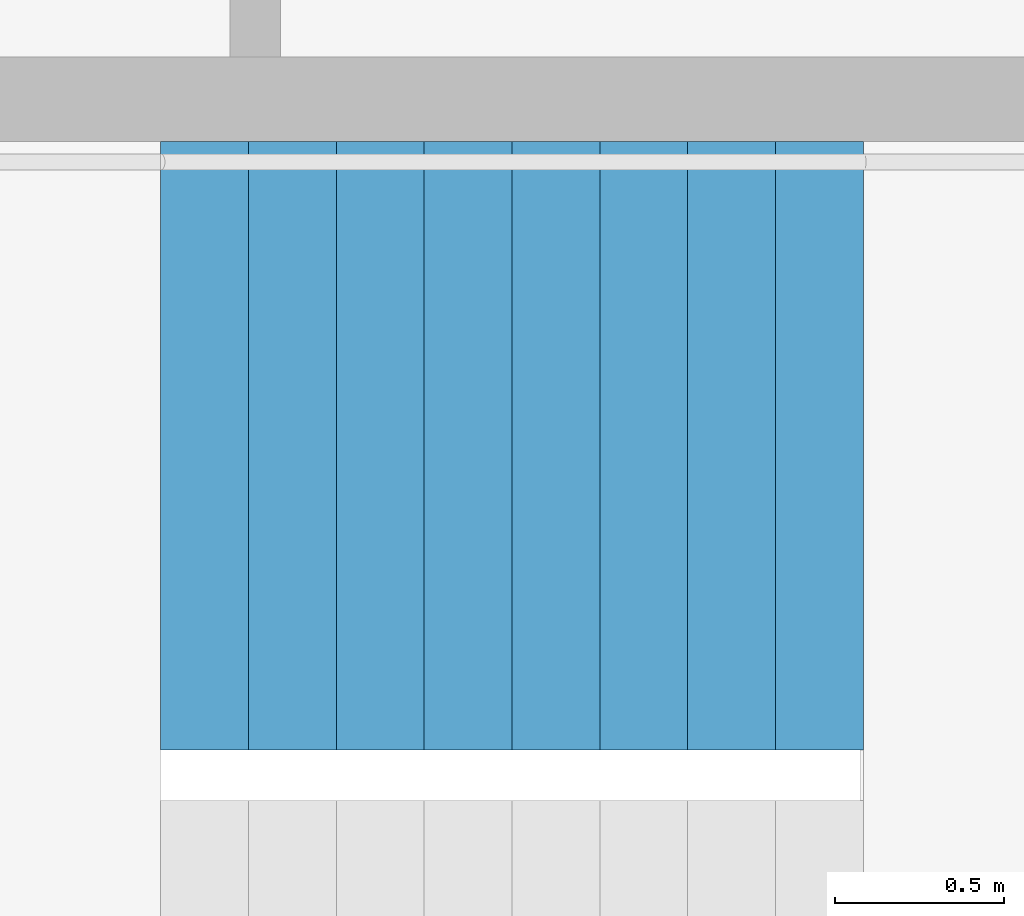
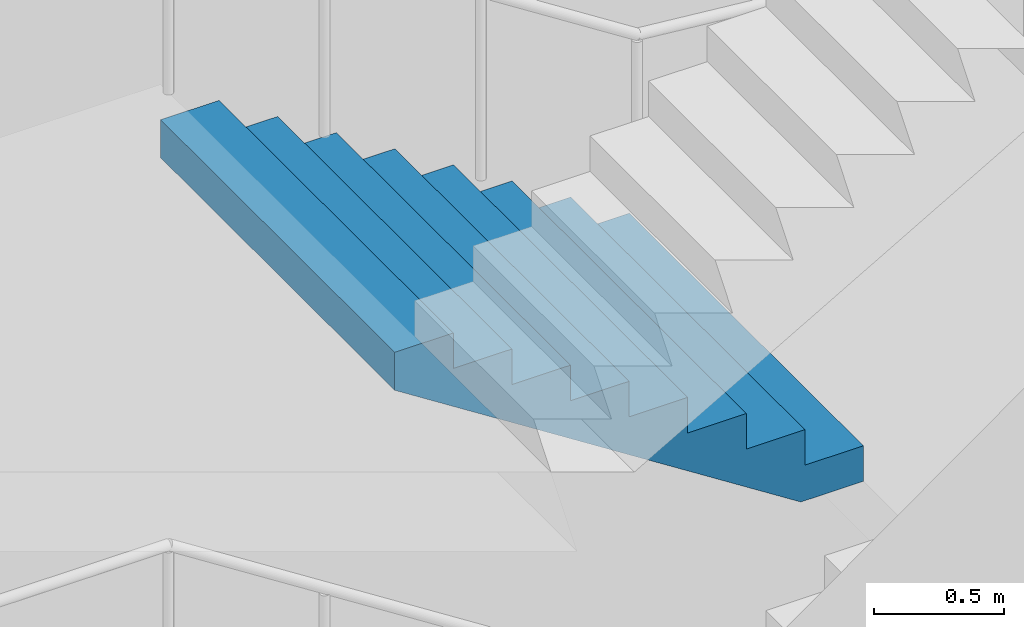
# One storey, part 21 of 35: 1 stair flight, 1 element without a shape of its own.
"""IFC4 building model written with IfcOpenShell, lengths in metres."""

from ifc_helpers import new_model, si_unit, direction, frame, origin, place, context, subcontext, project, spatial, triangles, material, type_object, element, aggregate, save


model = new_model("IFC4")

# Units and contexts
model_context = context("Model", 3, precision=1e-05, world=origin(), true_north=direction((0.0, 1.0)))
body_context = subcontext(model_context, "Body", "Model", "MODEL_VIEW")
ifc_project = project(units=[si_unit("LENGTHUNIT", "METRE"), si_unit("AREAUNIT", "SQUARE_METRE"), si_unit("VOLUMEUNIT", "CUBIC_METRE"), si_unit("PLANEANGLEUNIT", "RADIAN"), si_unit("MASSUNIT", "GRAM", prefix="KILO")], contexts=[model_context])

# Site, building, storey
site_placement = place(None, origin())
site = spatial("IfcSite", under=ifc_project, at=site_placement, CompositionType="ELEMENT")
building_placement = place(site_placement, origin())
building = spatial("IfcBuilding", under=site, at=building_placement, Name="Hakoniwa Tower and Hamabe Station Hall", CompositionType="ELEMENT")
storey_placement = place(building_placement, frame((0.0, 0.0, 270.60009765625)))
storey = spatial("IfcBuildingStorey", under=building, at=storey_placement, Name="L76", CompositionType="ELEMENT", Elevation=270.60009765625)

# Stair, stair flight
ifc_material_1 = material(Name="Concrete C40", Category="concrete")
stair_type = type_object("IfcStairType", Name="ESCAPE STAIR 1800", PredefinedType="HALF_TURN_STAIR", material=ifc_material_1)
stair_placement = place(storey_placement, origin())
stair = element("IfcStair", 1, at=stair_placement, inside=storey, type_object=stair_type, Name="Escape stair ST-2 L76", PredefinedType="HALF_TURN_STAIR")
ifc_material_2 = material(Name="Concrete C40", Category="concrete")
stair_flight_type = type_object("IfcStairFlightType", Name="STAIR FLIGHT 1800", PredefinedType="STRAIGHT", material=ifc_material_2)
stair_flight_placement = place(storey_placement, frame((-23.39990234375, -4.64990234375, 3.0), z_axis=(0.0, 0.0, 1.0), x_axis=(-1.0, 0.0, 0.0)))
stair_flight = element("IfcStairFlight", 2, at=stair_flight_placement, type_object=stair_flight_type, Name="ST-2 flight 3", NumberOfRisers=9, NumberOfTreads=8, PredefinedType="STRAIGHT", RiserHeight=0.166666667, TreadLength=0.26, context=body_context, shape_type="Tessellation", body=[
    triangles([(0.0, 0.89990234375, 0.0), (0.260009765625, 0.89990234375, 0.0), (0.27783203125, 0.89990234375, 0.0), (0.52001953125, 0.89990234375, 0.1552734375), (0.780029296875, 0.89990234375, 0.322021484375), (1.0400390625, 0.89990234375, 0.488525390625), (1.300048828125, 0.89990234375, 0.6552734375), (1.56005859375, 0.89990234375, 0.822021484375), (1.820068359375, 0.89990234375, 0.988525390625), (2.080078125, 0.89990234375, 1.1552734375), (2.080078125, 0.89990234375, 1.333251953125), (1.820068359375, 0.89990234375, 1.333251953125), (1.820068359375, 0.89990234375, 1.166748046875), (1.56005859375, 0.89990234375, 1.166748046875), (1.56005859375, 0.89990234375, 1.0), (1.300048828125, 0.89990234375, 1.0), (1.300048828125, 0.89990234375, 0.833251953125), (1.0400390625, 0.89990234375, 0.833251953125), (1.0400390625, 0.89990234375, 0.666748046875), (0.780029296875, 0.89990234375, 0.666748046875), (0.780029296875, 0.89990234375, 0.5), (0.52001953125, 0.89990234375, 0.5), (0.52001953125, 0.89990234375, 0.333251953125), (0.27783203125, 0.89990234375, 0.333251953125), (0.260009765625, 0.89990234375, 0.333251953125), (0.260009765625, 0.89990234375, 0.166748046875), (0.0, 0.89990234375, 0.166748046875), (0.0, 0.06005859375, 0.0), (0.260009765625, 0.06005859375, 0.0), (0.27783203125, 0.06005859375, 0.0), (0.52001953125, 0.06005859375, 0.1552734375), (0.780029296875, 0.06005859375, 0.322021484375), (1.0400390625, 0.06005859375, 0.488525390625), (1.300048828125, 0.06005859375, 0.6552734375), (1.56005859375, 0.06005859375, 0.822021484375), (1.820068359375, 0.06005859375, 0.988525390625), (2.080078125, 0.06005859375, 1.1552734375), (2.080078125, 0.06005859375, 1.333251953125), (1.820068359375, 0.06005859375, 1.333251953125), (1.820068359375, 0.06005859375, 1.166748046875), (1.56005859375, 0.06005859375, 1.166748046875), (1.56005859375, 0.06005859375, 1.0), (1.300048828125, 0.06005859375, 1.0), (1.300048828125, 0.06005859375, 0.833251953125), (1.0400390625, 0.06005859375, 0.833251953125), (1.0400390625, 0.06005859375, 0.666748046875), (0.780029296875, 0.06005859375, 0.666748046875), (0.780029296875, 0.06005859375, 0.5), (0.52001953125, 0.06005859375, 0.5), (0.52001953125, 0.06005859375, 0.333251953125), (0.27783203125, 0.06005859375, 0.333251953125), (0.260009765625, 0.06005859375, 0.333251953125), (0.260009765625, 0.06005859375, 0.166748046875), (0.0, 0.06005859375, 0.166748046875), (0.0, 0.04296875, 0.0), (0.260009765625, 0.04296875, 0.0), (0.27783203125, 0.04296875, 0.0), (0.52001953125, 0.04296875, 0.1552734375), (0.780029296875, 0.04296875, 0.322021484375), (1.0400390625, 0.04296875, 0.488525390625), (1.300048828125, 0.04296875, 0.6552734375), (1.56005859375, 0.04296875, 0.822021484375), (1.820068359375, 0.04296875, 0.988525390625), (2.080078125, 0.04296875, 1.1552734375), (2.080078125, 0.04296875, 1.333251953125), (1.820068359375, 0.04296875, 1.333251953125), (1.820068359375, 0.04296875, 1.166748046875), (1.56005859375, 0.04296875, 1.166748046875), (1.56005859375, 0.04296875, 1.0), (1.300048828125, 0.04296875, 1.0), (1.300048828125, 0.04296875, 0.833251953125), (1.0400390625, 0.04296875, 0.833251953125), (1.0400390625, 0.04296875, 0.666748046875), (0.780029296875, 0.04296875, 0.666748046875), (0.780029296875, 0.04296875, 0.5), (0.52001953125, 0.04296875, 0.5), (0.52001953125, 0.04296875, 0.333251953125), (0.27783203125, 0.04296875, 0.333251953125), (0.260009765625, 0.04296875, 0.333251953125), (0.260009765625, 0.04296875, 0.166748046875), (0.0, 0.04296875, 0.166748046875), (0.0, 0.025634765625, 0.0), (0.260009765625, 0.025634765625, 0.0), (0.27783203125, 0.025634765625, 0.0), (0.52001953125, 0.025634765625, 0.1552734375), (0.780029296875, 0.025634765625, 0.322021484375), (1.0400390625, 0.025634765625, 0.488525390625), (1.300048828125, 0.025634765625, 0.6552734375), (1.56005859375, 0.025634765625, 0.822021484375), (1.820068359375, 0.025634765625, 0.988525390625), (2.080078125, 0.025634765625, 1.1552734375), (2.080078125, 0.025634765625, 1.333251953125), (1.820068359375, 0.025634765625, 1.333251953125), (1.820068359375, 0.025634765625, 1.166748046875), (1.56005859375, 0.025634765625, 1.166748046875), (1.56005859375, 0.025634765625, 1.0), (1.300048828125, 0.025634765625, 1.0), (1.300048828125, 0.025634765625, 0.833251953125), (1.0400390625, 0.025634765625, 0.833251953125), (1.0400390625, 0.025634765625, 0.666748046875), (0.780029296875, 0.025634765625, 0.666748046875), (0.780029296875, 0.025634765625, 0.5), (0.52001953125, 0.025634765625, 0.5), (0.52001953125, 0.025634765625, 0.333251953125), (0.27783203125, 0.025634765625, 0.333251953125), (0.260009765625, 0.025634765625, 0.333251953125), (0.260009765625, 0.025634765625, 0.166748046875), (0.0, 0.025634765625, 0.166748046875), (0.0, 0.008544921875, 0.0), (0.260009765625, 0.008544921875, 0.0), (0.27783203125, 0.008544921875, 0.0), (0.52001953125, 0.008544921875, 0.1552734375), (0.780029296875, 0.008544921875, 0.322021484375), (1.0400390625, 0.008544921875, 0.488525390625), (1.300048828125, 0.008544921875, 0.6552734375), (1.56005859375, 0.008544921875, 0.822021484375), (1.820068359375, 0.008544921875, 0.988525390625), (2.080078125, 0.008544921875, 1.1552734375), (2.080078125, 0.008544921875, 1.333251953125), (1.820068359375, 0.008544921875, 1.333251953125), (1.820068359375, 0.008544921875, 1.166748046875), (1.56005859375, 0.008544921875, 1.166748046875), (1.56005859375, 0.008544921875, 1.0), (1.300048828125, 0.008544921875, 1.0), (1.300048828125, 0.008544921875, 0.833251953125), (1.0400390625, 0.008544921875, 0.833251953125), (1.0400390625, 0.008544921875, 0.666748046875), (0.780029296875, 0.008544921875, 0.666748046875), (0.780029296875, 0.008544921875, 0.5), (0.52001953125, 0.008544921875, 0.5), (0.52001953125, 0.008544921875, 0.333251953125), (0.27783203125, 0.008544921875, 0.333251953125), (0.260009765625, 0.008544921875, 0.333251953125), (0.260009765625, 0.008544921875, 0.166748046875), (0.0, 0.008544921875, 0.166748046875), (0.0, -0.008544921875, 0.0), (0.260009765625, -0.008544921875, 0.0), (0.27783203125, -0.008544921875, 0.0), (0.52001953125, -0.008544921875, 0.1552734375), (0.780029296875, -0.008544921875, 0.322021484375), (1.0400390625, -0.008544921875, 0.488525390625), (1.300048828125, -0.008544921875, 0.6552734375), (1.56005859375, -0.008544921875, 0.822021484375), (1.820068359375, -0.008544921875, 0.988525390625), (2.080078125, -0.008544921875, 1.1552734375), (2.080078125, -0.008544921875, 1.333251953125), (1.820068359375, -0.008544921875, 1.333251953125), (1.820068359375, -0.008544921875, 1.166748046875), (1.56005859375, -0.008544921875, 1.166748046875), (1.56005859375, -0.008544921875, 1.0), (1.300048828125, -0.008544921875, 1.0), (1.300048828125, -0.008544921875, 0.833251953125), (1.0400390625, -0.008544921875, 0.833251953125), (1.0400390625, -0.008544921875, 0.666748046875), (0.780029296875, -0.008544921875, 0.666748046875), (0.780029296875, -0.008544921875, 0.5), (0.52001953125, -0.008544921875, 0.5), (0.52001953125, -0.008544921875, 0.333251953125), (0.27783203125, -0.008544921875, 0.333251953125), (0.260009765625, -0.008544921875, 0.333251953125), (0.260009765625, -0.008544921875, 0.166748046875), (0.0, -0.008544921875, 0.166748046875), (0.0, -0.025634765625, 0.0), (0.260009765625, -0.025634765625, 0.0), (0.27783203125, -0.025634765625, 0.0), (0.52001953125, -0.025634765625, 0.1552734375), (0.780029296875, -0.025634765625, 0.322021484375), (1.0400390625, -0.025634765625, 0.488525390625), (1.300048828125, -0.025634765625, 0.6552734375), (1.56005859375, -0.025634765625, 0.822021484375), (1.820068359375, -0.025634765625, 0.988525390625), (2.080078125, -0.025634765625, 1.1552734375), (2.080078125, -0.025634765625, 1.333251953125), (1.820068359375, -0.025634765625, 1.333251953125), (1.820068359375, -0.025634765625, 1.166748046875), (1.56005859375, -0.025634765625, 1.166748046875), (1.56005859375, -0.025634765625, 1.0), (1.300048828125, -0.025634765625, 1.0), (1.300048828125, -0.025634765625, 0.833251953125), (1.0400390625, -0.025634765625, 0.833251953125), (1.0400390625, -0.025634765625, 0.666748046875), (0.780029296875, -0.025634765625, 0.666748046875), (0.780029296875, -0.025634765625, 0.5), (0.52001953125, -0.025634765625, 0.5), (0.52001953125, -0.025634765625, 0.333251953125), (0.27783203125, -0.025634765625, 0.333251953125), (0.260009765625, -0.025634765625, 0.333251953125), (0.260009765625, -0.025634765625, 0.166748046875), (0.0, -0.025634765625, 0.166748046875), (0.0, -0.04296875, 0.0), (0.260009765625, -0.04296875, 0.0), (0.27783203125, -0.04296875, 0.0), (0.52001953125, -0.04296875, 0.1552734375), (0.780029296875, -0.04296875, 0.322021484375), (1.0400390625, -0.04296875, 0.488525390625), (1.300048828125, -0.04296875, 0.6552734375), (1.56005859375, -0.04296875, 0.822021484375), (1.820068359375, -0.04296875, 0.988525390625), (2.080078125, -0.04296875, 1.1552734375), (2.080078125, -0.04296875, 1.333251953125), (1.820068359375, -0.04296875, 1.333251953125), (1.820068359375, -0.04296875, 1.166748046875), (1.56005859375, -0.04296875, 1.166748046875), (1.56005859375, -0.04296875, 1.0), (1.300048828125, -0.04296875, 1.0), (1.300048828125, -0.04296875, 0.833251953125), (1.0400390625, -0.04296875, 0.833251953125), (1.0400390625, -0.04296875, 0.666748046875), (0.780029296875, -0.04296875, 0.666748046875), (0.780029296875, -0.04296875, 0.5), (0.52001953125, -0.04296875, 0.5), (0.52001953125, -0.04296875, 0.333251953125), (0.27783203125, -0.04296875, 0.333251953125), (0.260009765625, -0.04296875, 0.333251953125), (0.260009765625, -0.04296875, 0.166748046875), (0.0, -0.04296875, 0.166748046875), (0.0, -0.06005859375, 0.0), (0.260009765625, -0.06005859375, 0.0), (0.27783203125, -0.06005859375, 0.0), (0.52001953125, -0.06005859375, 0.1552734375), (0.780029296875, -0.06005859375, 0.322021484375), (1.0400390625, -0.06005859375, 0.488525390625), (1.300048828125, -0.06005859375, 0.6552734375), (1.56005859375, -0.06005859375, 0.822021484375), (1.820068359375, -0.06005859375, 0.988525390625), (2.080078125, -0.06005859375, 1.1552734375), (2.080078125, -0.06005859375, 1.333251953125), (1.820068359375, -0.06005859375, 1.333251953125), (1.820068359375, -0.06005859375, 1.166748046875), (1.56005859375, -0.06005859375, 1.166748046875), (1.56005859375, -0.06005859375, 1.0), (1.300048828125, -0.06005859375, 1.0), (1.300048828125, -0.06005859375, 0.833251953125), (1.0400390625, -0.06005859375, 0.833251953125), (1.0400390625, -0.06005859375, 0.666748046875), (0.780029296875, -0.06005859375, 0.666748046875), (0.780029296875, -0.06005859375, 0.5), (0.52001953125, -0.06005859375, 0.5), (0.52001953125, -0.06005859375, 0.333251953125), (0.27783203125, -0.06005859375, 0.333251953125), (0.260009765625, -0.06005859375, 0.333251953125), (0.260009765625, -0.06005859375, 0.166748046875), (0.0, -0.06005859375, 0.166748046875), (0.0, -0.89990234375, 0.0), (0.260009765625, -0.89990234375, 0.0), (0.27783203125, -0.89990234375, 0.0), (0.52001953125, -0.89990234375, 0.1552734375), (0.780029296875, -0.89990234375, 0.322021484375), (1.0400390625, -0.89990234375, 0.488525390625), (1.300048828125, -0.89990234375, 0.6552734375), (1.56005859375, -0.89990234375, 0.822021484375), (1.820068359375, -0.89990234375, 0.988525390625), (2.080078125, -0.89990234375, 1.1552734375), (2.080078125, -0.89990234375, 1.333251953125), (1.820068359375, -0.89990234375, 1.333251953125), (1.820068359375, -0.89990234375, 1.166748046875), (1.56005859375, -0.89990234375, 1.166748046875), (1.56005859375, -0.89990234375, 1.0), (1.300048828125, -0.89990234375, 1.0), (1.300048828125, -0.89990234375, 0.833251953125), (1.0400390625, -0.89990234375, 0.833251953125), (1.0400390625, -0.89990234375, 0.666748046875), (0.780029296875, -0.89990234375, 0.666748046875), (0.780029296875, -0.89990234375, 0.5), (0.52001953125, -0.89990234375, 0.5), (0.52001953125, -0.89990234375, 0.333251953125), (0.27783203125, -0.89990234375, 0.333251953125), (0.260009765625, -0.89990234375, 0.333251953125), (0.260009765625, -0.89990234375, 0.166748046875), (0.0, -0.89990234375, 0.166748046875)], [[2, 27, 26], [245, 269, 270], [2, 1, 27], [245, 270, 244], [3, 25, 24], [246, 267, 268], [3, 26, 25], [246, 268, 269], [3, 2, 26], [246, 269, 245], [4, 24, 23], [247, 266, 267], [4, 3, 24], [247, 267, 246], [5, 22, 21], [248, 264, 265], [5, 23, 22], [248, 265, 266], [5, 4, 23], [248, 266, 247], [6, 20, 19], [249, 262, 263], [6, 21, 20], [249, 263, 264], [6, 5, 21], [249, 264, 248], [7, 18, 17], [250, 260, 261], [7, 19, 18], [250, 261, 262], [7, 6, 19], [250, 262, 249], [8, 16, 15], [251, 258, 259], [8, 17, 16], [251, 259, 260], [8, 7, 17], [251, 260, 250], [9, 14, 13], [252, 256, 257], [9, 15, 14], [252, 257, 258], [9, 8, 15], [252, 258, 251], [10, 12, 11], [253, 254, 255], [10, 13, 12], [253, 255, 256], [10, 9, 13], [253, 256, 252], [1, 2, 29], [1, 29, 28], [28, 29, 56], [28, 56, 55], [55, 56, 83], [55, 83, 82], [82, 83, 110], [82, 110, 109], [109, 110, 137], [109, 137, 136], [136, 137, 164], [136, 164, 163], [163, 164, 191], [163, 191, 190], [190, 191, 218], [190, 218, 217], [217, 218, 245], [217, 245, 244], [2, 3, 30], [2, 30, 29], [29, 30, 57], [29, 57, 56], [56, 57, 84], [56, 84, 83], [83, 84, 111], [83, 111, 110], [110, 111, 138], [110, 138, 137], [137, 138, 165], [137, 165, 164], [164, 165, 192], [164, 192, 191], [191, 192, 219], [191, 219, 218], [218, 219, 246], [218, 246, 245], [3, 4, 31], [3, 31, 30], [30, 31, 58], [30, 58, 57], [57, 58, 85], [57, 85, 84], [84, 85, 112], [84, 112, 111], [111, 112, 139], [111, 139, 138], [138, 139, 166], [138, 166, 165], [165, 166, 193], [165, 193, 192], [192, 193, 220], [192, 220, 219], [219, 220, 247], [219, 247, 246], [4, 5, 32], [4, 32, 31], [31, 32, 59], [31, 59, 58], [58, 59, 86], [58, 86, 85], [85, 86, 113], [85, 113, 112], [112, 113, 140], [112, 140, 139], [139, 140, 167], [139, 167, 166], [166, 167, 194], [166, 194, 193], [193, 194, 221], [193, 221, 220], [220, 221, 248], [220, 248, 247], [5, 6, 33], [5, 33, 32], [32, 33, 60], [32, 60, 59], [59, 60, 87], [59, 87, 86], [86, 87, 114], [86, 114, 113], [113, 114, 141], [113, 141, 140], [140, 141, 168], [140, 168, 167], [167, 168, 195], [167, 195, 194], [194, 195, 222], [194, 222, 221], [221, 222, 249], [221, 249, 248], [6, 7, 34], [6, 34, 33], [33, 34, 61], [33, 61, 60], [60, 61, 88], [60, 88, 87], [87, 88, 115], [87, 115, 114], [114, 115, 142], [114, 142, 141], [141, 142, 169], [141, 169, 168], [168, 169, 196], [168, 196, 195], [195, 196, 223], [195, 223, 222], [222, 223, 250], [222, 250, 249], [7, 8, 35], [7, 35, 34], [34, 35, 62], [34, 62, 61], [61, 62, 89], [61, 89, 88], [88, 89, 116], [88, 116, 115], [115, 116, 143], [115, 143, 142], [142, 143, 170], [142, 170, 169], [169, 170, 197], [169, 197, 196], [196, 197, 224], [196, 224, 223], [223, 224, 251], [223, 251, 250], [8, 9, 36], [8, 36, 35], [35, 36, 63], [35, 63, 62], [62, 63, 90], [62, 90, 89], [89, 90, 117], [89, 117, 116], [116, 117, 144], [116, 144, 143], [143, 144, 171], [143, 171, 170], [170, 171, 198], [170, 198, 197], [197, 198, 225], [197, 225, 224], [224, 225, 252], [224, 252, 251], [9, 10, 37], [9, 37, 36], [36, 37, 64], [36, 64, 63], [63, 64, 91], [63, 91, 90], [90, 91, 118], [90, 118, 117], [117, 118, 145], [117, 145, 144], [144, 145, 172], [144, 172, 171], [171, 172, 199], [171, 199, 198], [198, 199, 226], [198, 226, 225], [225, 226, 253], [225, 253, 252], [10, 11, 38], [10, 38, 37], [37, 38, 65], [37, 65, 64], [64, 65, 92], [64, 92, 91], [91, 92, 119], [91, 119, 118], [118, 119, 146], [118, 146, 145], [145, 146, 173], [145, 173, 172], [172, 173, 200], [172, 200, 199], [199, 200, 227], [199, 227, 226], [226, 227, 254], [226, 254, 253], [11, 12, 39], [11, 39, 38], [38, 39, 66], [38, 66, 65], [65, 66, 93], [65, 93, 92], [92, 93, 120], [92, 120, 119], [119, 120, 147], [119, 147, 146], [146, 147, 174], [146, 174, 173], [173, 174, 201], [173, 201, 200], [200, 201, 228], [200, 228, 227], [227, 228, 255], [227, 255, 254], [12, 13, 40], [12, 40, 39], [39, 40, 67], [39, 67, 66], [66, 67, 94], [66, 94, 93], [93, 94, 121], [93, 121, 120], [120, 121, 148], [120, 148, 147], [147, 148, 175], [147, 175, 174], [174, 175, 202], [174, 202, 201], [201, 202, 229], [201, 229, 228], [228, 229, 256], [228, 256, 255], [13, 14, 41], [13, 41, 40], [40, 41, 68], [40, 68, 67], [67, 68, 95], [67, 95, 94], [94, 95, 122], [94, 122, 121], [121, 122, 149], [121, 149, 148], [148, 149, 176], [148, 176, 175], [175, 176, 203], [175, 203, 202], [202, 203, 230], [202, 230, 229], [229, 230, 257], [229, 257, 256], [14, 15, 42], [14, 42, 41], [41, 42, 69], [41, 69, 68], [68, 69, 96], [68, 96, 95], [95, 96, 123], [95, 123, 122], [122, 123, 150], [122, 150, 149], [149, 150, 177], [149, 177, 176], [176, 177, 204], [176, 204, 203], [203, 204, 231], [203, 231, 230], [230, 231, 258], [230, 258, 257], [15, 16, 43], [15, 43, 42], [42, 43, 70], [42, 70, 69], [69, 70, 97], [69, 97, 96], [96, 97, 124], [96, 124, 123], [123, 124, 151], [123, 151, 150], [150, 151, 178], [150, 178, 177], [177, 178, 205], [177, 205, 204], [204, 205, 232], [204, 232, 231], [231, 232, 259], [231, 259, 258], [16, 17, 44], [16, 44, 43], [43, 44, 71], [43, 71, 70], [70, 71, 98], [70, 98, 97], [97, 98, 125], [97, 125, 124], [124, 125, 152], [124, 152, 151], [151, 152, 179], [151, 179, 178], [178, 179, 206], [178, 206, 205], [205, 206, 233], [205, 233, 232], [232, 233, 260], [232, 260, 259], [17, 18, 45], [17, 45, 44], [44, 45, 72], [44, 72, 71], [71, 72, 99], [71, 99, 98], [98, 99, 126], [98, 126, 125], [125, 126, 153], [125, 153, 152], [152, 153, 180], [152, 180, 179], [179, 180, 207], [179, 207, 206], [206, 207, 234], [206, 234, 233], [233, 234, 261], [233, 261, 260], [18, 19, 46], [18, 46, 45], [45, 46, 73], [45, 73, 72], [72, 73, 100], [72, 100, 99], [99, 100, 127], [99, 127, 126], [126, 127, 154], [126, 154, 153], [153, 154, 181], [153, 181, 180], [180, 181, 208], [180, 208, 207], [207, 208, 235], [207, 235, 234], [234, 235, 262], [234, 262, 261], [19, 20, 47], [19, 47, 46], [46, 47, 74], [46, 74, 73], [73, 74, 101], [73, 101, 100], [100, 101, 128], [100, 128, 127], [127, 128, 155], [127, 155, 154], [154, 155, 182], [154, 182, 181], [181, 182, 209], [181, 209, 208], [208, 209, 236], [208, 236, 235], [235, 236, 263], [235, 263, 262], [20, 21, 48], [20, 48, 47], [47, 48, 75], [47, 75, 74], [74, 75, 102], [74, 102, 101], [101, 102, 129], [101, 129, 128], [128, 129, 156], [128, 156, 155], [155, 156, 183], [155, 183, 182], [182, 183, 210], [182, 210, 209], [209, 210, 237], [209, 237, 236], [236, 237, 264], [236, 264, 263], [21, 22, 49], [21, 49, 48], [48, 49, 76], [48, 76, 75], [75, 76, 103], [75, 103, 102], [102, 103, 130], [102, 130, 129], [129, 130, 157], [129, 157, 156], [156, 157, 184], [156, 184, 183], [183, 184, 211], [183, 211, 210], [210, 211, 238], [210, 238, 237], [237, 238, 265], [237, 265, 264], [22, 23, 50], [22, 50, 49], [49, 50, 77], [49, 77, 76], [76, 77, 104], [76, 104, 103], [103, 104, 131], [103, 131, 130], [130, 131, 158], [130, 158, 157], [157, 158, 185], [157, 185, 184], [184, 185, 212], [184, 212, 211], [211, 212, 239], [211, 239, 238], [238, 239, 266], [238, 266, 265], [23, 24, 51], [23, 51, 50], [50, 51, 78], [50, 78, 77], [77, 78, 105], [77, 105, 104], [104, 105, 132], [104, 132, 131], [131, 132, 159], [131, 159, 158], [158, 159, 186], [158, 186, 185], [185, 186, 213], [185, 213, 212], [212, 213, 240], [212, 240, 239], [239, 240, 267], [239, 267, 266], [24, 25, 52], [24, 52, 51], [51, 52, 79], [51, 79, 78], [78, 79, 106], [78, 106, 105], [105, 106, 133], [105, 133, 132], [132, 133, 160], [132, 160, 159], [159, 160, 187], [159, 187, 186], [186, 187, 214], [186, 214, 213], [213, 214, 241], [213, 241, 240], [240, 241, 268], [240, 268, 267], [25, 26, 53], [25, 53, 52], [52, 53, 80], [52, 80, 79], [79, 80, 107], [79, 107, 106], [106, 107, 134], [106, 134, 133], [133, 134, 161], [133, 161, 160], [160, 161, 188], [160, 188, 187], [187, 188, 215], [187, 215, 214], [214, 215, 242], [214, 242, 241], [241, 242, 269], [241, 269, 268], [26, 27, 54], [26, 54, 53], [53, 54, 81], [53, 81, 80], [80, 81, 108], [80, 108, 107], [107, 108, 135], [107, 135, 134], [134, 135, 162], [134, 162, 161], [161, 162, 189], [161, 189, 188], [188, 189, 216], [188, 216, 215], [215, 216, 243], [215, 243, 242], [242, 243, 270], [242, 270, 269], [27, 1, 28], [27, 28, 54], [54, 28, 55], [54, 55, 81], [81, 55, 82], [81, 82, 108], [108, 82, 109], [108, 109, 135], [135, 109, 136], [135, 136, 162], [162, 136, 163], [162, 163, 189], [189, 163, 190], [189, 190, 216], [216, 190, 217], [216, 217, 243], [243, 217, 244], [243, 244, 270]], closed=True),
])
aggregate(stair, [stair_flight])

save(model, "model.ifc")
